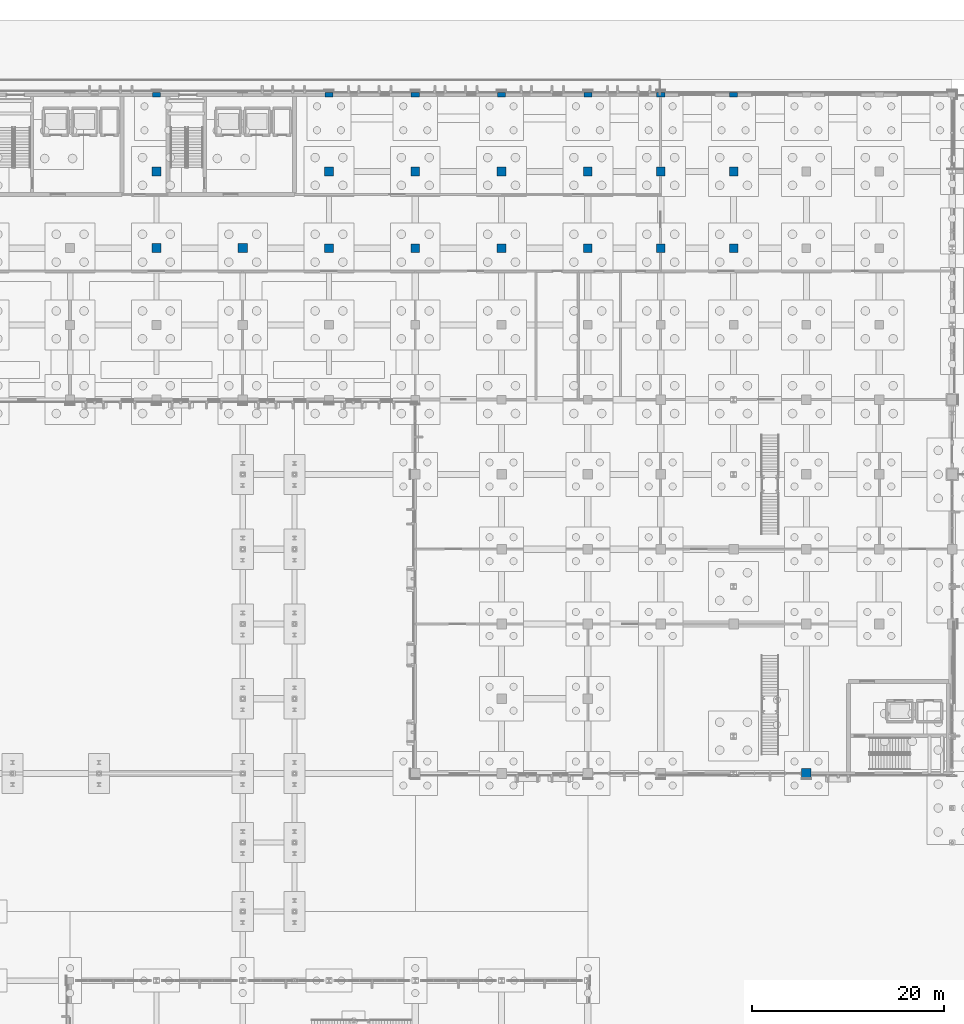
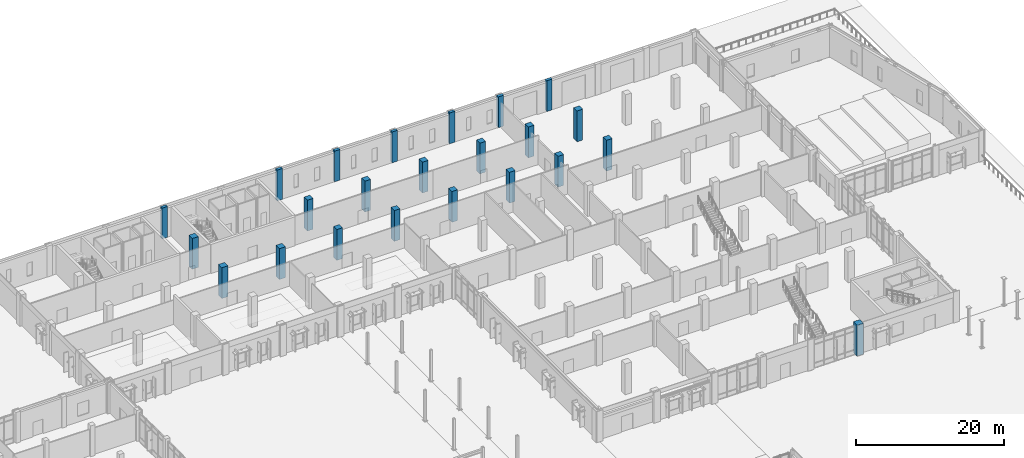
# One storey, part 28 of 94: 23 columns.
"""IFC4 building model written with IfcOpenShell, lengths in metres."""

from ifc_helpers import new_model, si_unit, direction, frame, origin, origin_2d, place, context, subcontext, project, spatial, rectangle, extrude, material, material_profile, profile_set, type_object, element, save


model = new_model("IFC4")

# Units and contexts
model_context = context("Model", 3, precision=1e-05, world=origin(), true_north=direction((0.0, 1.0)))
body_context = subcontext(model_context, "Body", "Model", "MODEL_VIEW")
ifc_project = project(units=[si_unit("LENGTHUNIT", "METRE"), si_unit("AREAUNIT", "SQUARE_METRE"), si_unit("VOLUMEUNIT", "CUBIC_METRE"), si_unit("PLANEANGLEUNIT", "RADIAN"), si_unit("MASSUNIT", "GRAM", prefix="KILO")], contexts=[model_context])

# Site, building, storey
site_placement = place(None, origin())
site = spatial("IfcSite", under=ifc_project, at=site_placement, CompositionType="ELEMENT")
building_placement = place(site_placement, origin())
building = spatial("IfcBuilding", under=site, at=building_placement, Name="Vervanel Yard Central Library", CompositionType="ELEMENT")
storey_placement = place(building_placement, origin())
storey = spatial("IfcBuildingStorey", under=building, at=storey_placement, Name="L00", CompositionType="ELEMENT", Elevation=0.0)

# Columns
ifc_material = material(Name="Concrete C45/55", Category="concrete")
ifc_material_profile_1 = material_profile(ifc_material, rectangle(XDim=1.0, YDim=1.0, at=origin_2d()), Name="RC 1000x1000", Category="concrete")
ifc_profile_set_1 = profile_set([ifc_material_profile_1], Name="Concrete C45/55")
column_type_1 = type_object("IfcColumnType", Name="Concrete Column 1000x1000", PredefinedType="COLUMN", material=ifc_profile_set_1)
column_placement = place(storey_placement, frame((130.800048828125, 43.199951171875, 0.0), z_axis=(0.0, 0.0, 1.0), x_axis=(1.0, 0.0, 0.0)))
element("IfcColumn", 1, at=column_placement, inside=storey, type_object=column_type_1, Name="L00 Concrete Column 1000x1000 (130.8, 43.2)", PredefinedType="COLUMN", context=body_context, shape_type="SweptSolid", body=[
    extrude(rectangle(XDim=1.0, YDim=1.0, at=origin_2d()), origin(), (0.0, 0.0, 1.0), 5.10009765625),
])
ifc_material_profile_2 = material_profile(ifc_material, rectangle(XDim=0.89990234375, YDim=0.89990234375, at=origin_2d()), Name="RC 900x900", Category="concrete")
ifc_profile_set_2 = profile_set([ifc_material_profile_2], Name="Concrete C45/55")
column_type_2 = type_object("IfcColumnType", Name="Concrete Column 900x900", PredefinedType="COLUMN", material=ifc_profile_set_2)
for number, where, z_axis, x_axis, name in (
    (2, (81.0, 98.0, 0.0), (0.0, 0.0, 1.0), (1.0, 0.0, 0.0), "L00 Concrete Column 900x900 (81.0, 98.0)"),
    (3, (81.0, 106.0, 0.0), (0.0, 0.0, 1.0), (1.0, 0.0, 0.0), "L00 Concrete Column 900x900 (81.0, 106.0)"),
    (4, (90.0, 98.0, 0.0), (0.0, 0.0, 1.0), (1.0, 0.0, 0.0), "L00 Concrete Column 900x900 (90.0, 98.0)"),
    (5, (90.0, 106.0, 0.0), (0.0, 0.0, 1.0), (1.0, 0.0, 0.0), "L00 Concrete Column 900x900 (90.0, 106.0)"),
    (6, (99.0, 98.0, 0.0), (0.0, 0.0, 1.0), (1.0, 0.0, 0.0), "L00 Concrete Column 900x900 (99.0, 98.0)"),
    (7, (99.0, 106.0, 0.0), (0.0, 0.0, 1.0), (1.0, 0.0, 0.0), "L00 Concrete Column 900x900 (99.0, 106.0)"),
    (8, (108.0, 98.0, 0.0), (0.0, 0.0, 1.0), (1.0, 0.0, 0.0), "L00 Concrete Column 900x900 (108.0, 98.0)"),
    (9, (108.0, 106.0, 0.0), (0.0, 0.0, 1.0), (1.0, 0.0, 0.0), "L00 Concrete Column 900x900 (108.0, 106.0)"),
    (10, (115.60009765625, 98.0, 0.0), (0.0, 0.0, 1.0), (1.0, 0.0, 0.0), "L00 Concrete Column 900x900 (115.6, 98.0)"),
    (11, (115.60009765625, 106.0, 0.0), (0.0, 0.0, 1.0), (1.0, 0.0, 0.0), "L00 Concrete Column 900x900 (115.6, 106.0)"),
    (12, (123.199951171875, 98.0, 0.0), (0.0, 0.0, 1.0), (1.0, 0.0, 0.0), "L00 Concrete Column 900x900 (123.2, 98.0)"),
    (13, (123.199951171875, 106.0, 0.0), (0.0, 0.0, 1.0), (1.0, 0.0, 0.0), "L00 Concrete Column 900x900 (123.2, 106.0)"),
):
    element("IfcColumn", number, at=place(storey_placement, frame(where, z_axis=z_axis, x_axis=x_axis)), inside=storey, type_object=column_type_2, Name=name, PredefinedType="COLUMN", context=body_context, shape_type="SweptSolid", body=[
        extrude(rectangle(XDim=0.89990234375, YDim=0.89990234375, at=origin_2d()), origin(), (0.0, 0.0, 1.0), 5.10009765625),
    ])
ifc_material_profile_3 = material_profile(ifc_material, rectangle(XDim=0.949951171875, YDim=0.949951171875, at=origin_2d()), Name="RC 950x950", Category="concrete")
ifc_profile_set_3 = profile_set([ifc_material_profile_3], Name="Concrete C45/55")
column_type_3 = type_object("IfcColumnType", Name="Concrete Column 950x950", PredefinedType="COLUMN", material=ifc_profile_set_3)
for number, where, z_axis, x_axis, name in (
    (14, (63.0, 98.0, 0.0), (0.0, 0.0, 1.0), (1.0, 0.0, 0.0), "L00 Concrete Column 950x950 (63.0, 98.0)"),
    (15, (63.0, 106.0, 0.0), (0.0, 0.0, 1.0), (1.0, 0.0, 0.0), "L00 Concrete Column 950x950 (63.0, 106.0)"),
    (16, (72.0, 98.0, 0.0), (0.0, 0.0, 1.0), (1.0, 0.0, 0.0), "L00 Concrete Column 950x950 (72.0, 98.0)"),
):
    element("IfcColumn", number, at=place(storey_placement, frame(where, z_axis=z_axis, x_axis=x_axis)), inside=storey, type_object=column_type_3, Name=name, PredefinedType="COLUMN", context=body_context, shape_type="SweptSolid", body=[
        extrude(rectangle(XDim=0.949951171875, YDim=0.949951171875, at=origin_2d()), origin(), (0.0, 0.0, 1.0), 5.10009765625),
    ])
ifc_material_profile_4 = material_profile(ifc_material, rectangle(XDim=0.449951171875, YDim=0.85009765625, at=origin_2d()), Name="RC 450x850", Category="concrete")
ifc_profile_set_4 = profile_set([ifc_material_profile_4], Name="Concrete C45/55")
column_type_4 = type_object("IfcColumnType", Name="Stack Spine Column 450x850", PredefinedType="COLUMN", material=ifc_profile_set_4)
for number, where, z_axis, x_axis, name in (
    (17, (63.0, 114.0, 0.0), (0.0, 0.0, 1.0), (0.0, 1.0, 0.0), "L00 Stack Spine Column 450x850 (63.0, 114.0)"),
    (18, (81.0, 114.0, 0.0), (0.0, 0.0, 1.0), (0.0, 1.0, 0.0), "L00 Stack Spine Column 450x850 (81.0, 114.0)"),
    (19, (90.0, 114.0, 0.0), (0.0, 0.0, 1.0), (0.0, 1.0, 0.0), "L00 Stack Spine Column 450x850 (90.0, 114.0)"),
    (20, (99.0, 114.0, 0.0), (0.0, 0.0, 1.0), (0.0, 1.0, 0.0), "L00 Stack Spine Column 450x850 (99.0, 114.0)"),
    (21, (108.0, 114.0, 0.0), (0.0, 0.0, 1.0), (0.0, 1.0, 0.0), "L00 Stack Spine Column 450x850 (108.0, 114.0)"),
    (22, (115.60009765625, 114.0, 0.0), (0.0, 0.0, 1.0), (0.0, 1.0, 0.0), "L00 Stack Spine Column 450x850 (115.6, 114.0)"),
    (23, (123.199951171875, 114.0, 0.0), (0.0, 0.0, 1.0), (0.0, 1.0, 0.0), "L00 Stack Spine Column 450x850 (123.2, 114.0)"),
):
    element("IfcColumn", number, at=place(storey_placement, frame(where, z_axis=z_axis, x_axis=x_axis)), inside=storey, type_object=column_type_4, Name=name, PredefinedType="COLUMN", context=body_context, shape_type="SweptSolid", body=[
        extrude(rectangle(XDim=0.449951171875, YDim=0.85009765625, at=origin_2d()), origin(), (0.0, 0.0, 1.0), 5.10009765625),
    ])

save(model, "model.ifc")
